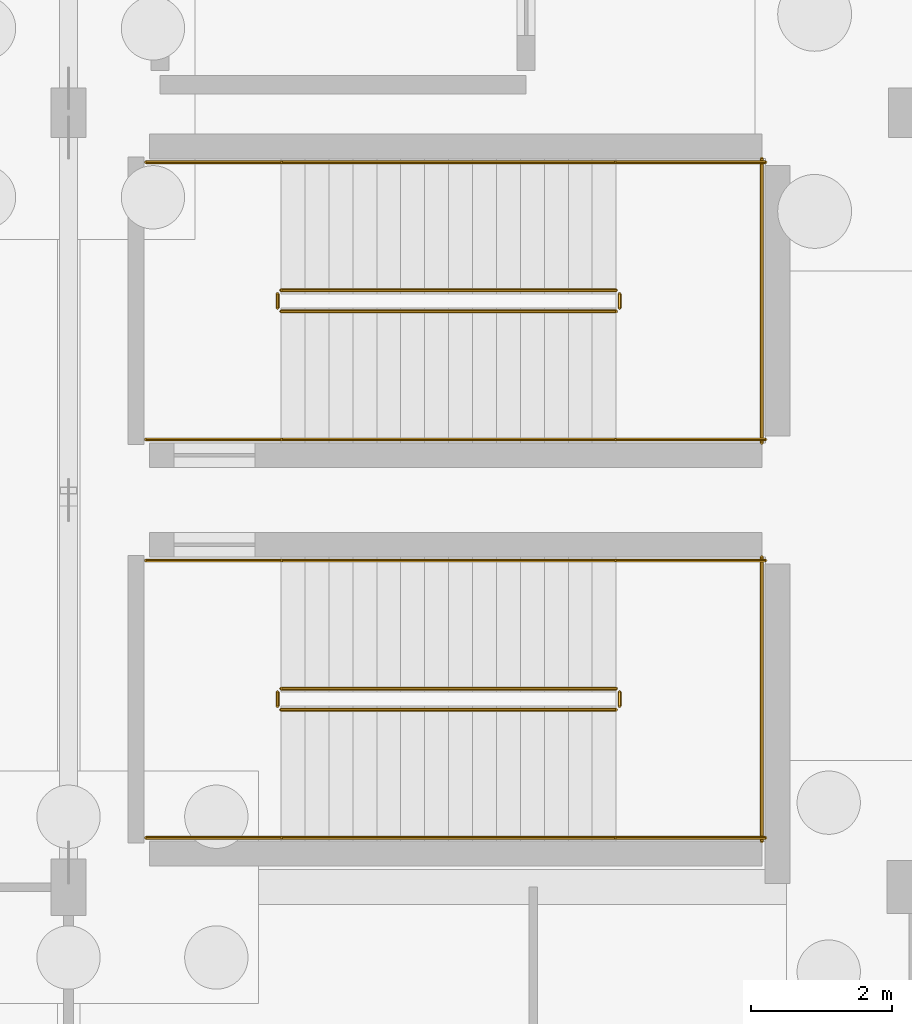
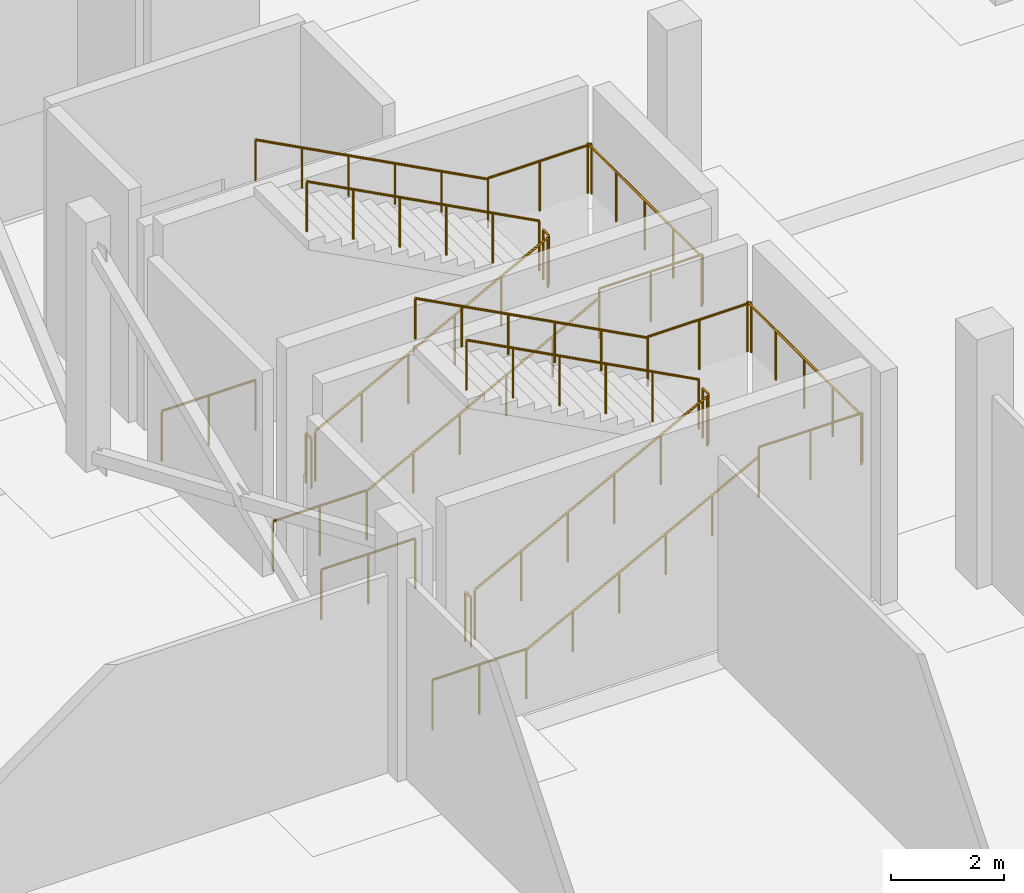
# One storey, part 48 of 60: 22 railings.
"""IFC4 building model written with IfcOpenShell, lengths in metres."""

from ifc_helpers import new_model, si_unit, direction, frame, origin, origin_2d, place, context, subcontext, project, spatial, circle, extrude, material, type_object, element, save


model = new_model("IFC4")

# Units and contexts
model_context = context("Model", 3, precision=1e-05, world=origin(), true_north=direction((0.0, 1.0)))
body_context = subcontext(model_context, "Body", "Model", "MODEL_VIEW")
ifc_project = project(units=[si_unit("LENGTHUNIT", "METRE"), si_unit("AREAUNIT", "SQUARE_METRE"), si_unit("VOLUMEUNIT", "CUBIC_METRE"), si_unit("PLANEANGLEUNIT", "RADIAN"), si_unit("MASSUNIT", "GRAM", prefix="KILO")], contexts=[model_context])

# Site, building, storey
site_placement = place(None, origin())
site = spatial("IfcSite", under=ifc_project, at=site_placement, CompositionType="ELEMENT")
building_placement = place(site_placement, origin())
building = spatial("IfcBuilding", under=site, at=building_placement, Name="Luwafu Chhajja Arena", CompositionType="ELEMENT")
storey_placement = place(building_placement, frame((0.0, 0.0, -5.39990234375)))
storey = spatial("IfcBuildingStorey", under=building, at=storey_placement, Name="B1", CompositionType="ELEMENT", Elevation=-5.39990234375)

# Railings
ifc_material_1 = material(Name="Stainless steel handrail", Category="steel")
railing_type_1 = type_object("IfcRailingType", Name="Stair Pitch Wall Handrail 920", PredefinedType="HANDRAIL", material=ifc_material_1)
railing_1_placement = place(storey_placement, frame((37.02001953125, 11.699951171875, 0.179931640625)))
element("IfcRailing", 1, at=railing_1_placement, inside=storey, type_object=railing_type_1, Name="B1 ST-01 stair handrail 1", PredefinedType="HANDRAIL", context=body_context, shape_type="SweptSolid", body=[
    extrude(circle(Radius=0.02392578125, at=origin_2d()), frame((0.0, 0.0, 0.8759765625), z_axis=(0.883786813738, 0.0, 0.467889803119), x_axis=(0.0, 1.0, 0.0)), (0.0, 0.0, 1.0), 5.385986328125),
    extrude(circle(Radius=0.02099609375, at=origin_2d()), origin(), (0.0, 0.0, 1.0), 0.851806640625),
    extrude(circle(Radius=0.02099609375, at=origin_2d()), frame((0.951904296875, 0.0, 0.50390625)), (0.0, 0.0, 1.0), 0.851806640625),
    extrude(circle(Radius=0.02099609375, at=origin_2d()), frame((1.904052734375, 0.0, 1.008056640625)), (0.0, 0.0, 1.0), 0.851806640625),
    extrude(circle(Radius=0.02099609375, at=origin_2d()), frame((2.85595703125, 0.0, 1.511962890625)), (0.0, 0.0, 1.0), 0.851806640625),
    extrude(circle(Radius=0.02099609375, at=origin_2d()), frame((3.80810546875, 0.0, 2.01611328125)), (0.0, 0.0, 1.0), 0.851806640625),
    extrude(circle(Radius=0.02099609375, at=origin_2d()), frame((4.760009765625, 0.0, 2.52001953125)), (0.0, 0.0, 1.0), 0.851806640625),
])
railing_2_placement = place(storey_placement, frame((41.780029296875, 15.639892578125, 2.8798828125)))
element("IfcRailing", 2, at=railing_2_placement, inside=storey, type_object=railing_type_1, Name="B1 ST-01 stair handrail 2", PredefinedType="HANDRAIL", context=body_context, shape_type="SweptSolid", body=[
    extrude(circle(Radius=0.02392578125, at=origin_2d()), frame((0.0, 0.0, 0.8759765625), z_axis=(-0.883786813738, 0.0, 0.467889803119), x_axis=(0.0, -1.0, 0.0)), (0.0, 0.0, 1.0), 5.385986328125),
    extrude(circle(Radius=0.02099609375, at=origin_2d()), origin(), (0.0, 0.0, 1.0), 0.851806640625),
    extrude(circle(Radius=0.02099609375, at=origin_2d()), frame((-0.951904296875, 0.0, 0.50390625)), (0.0, 0.0, 1.0), 0.851806640625),
    extrude(circle(Radius=0.02099609375, at=origin_2d()), frame((-1.904052734375, 0.0, 1.008056640625)), (0.0, 0.0, 1.0), 0.851806640625),
    extrude(circle(Radius=0.02099609375, at=origin_2d()), frame((-2.85595703125, 0.0, 1.511962890625)), (0.0, 0.0, 1.0), 0.851806640625),
    extrude(circle(Radius=0.02099609375, at=origin_2d()), frame((-3.80810546875, 0.0, 2.01611328125)), (0.0, 0.0, 1.0), 0.851806640625),
    extrude(circle(Radius=0.02099609375, at=origin_2d()), frame((-4.760009765625, 0.0, 2.52001953125)), (0.0, 0.0, 1.0), 0.851806640625),
])
railing_3_placement = place(storey_placement, frame((37.02001953125, 17.360107421875, 0.179931640625)))
element("IfcRailing", 3, at=railing_3_placement, inside=storey, type_object=railing_type_1, Name="B1 ST-02 stair handrail 1", PredefinedType="HANDRAIL", context=body_context, shape_type="SweptSolid", body=[
    extrude(circle(Radius=0.02392578125, at=origin_2d()), frame((0.0, 0.0, 0.8759765625), z_axis=(0.883786813738, 0.0, 0.467889803119), x_axis=(0.0, 1.0, 0.0)), (0.0, 0.0, 1.0), 5.385986328125),
    extrude(circle(Radius=0.02099609375, at=origin_2d()), origin(), (0.0, 0.0, 1.0), 0.851806640625),
    extrude(circle(Radius=0.02099609375, at=origin_2d()), frame((0.951904296875, 0.0, 0.50390625)), (0.0, 0.0, 1.0), 0.851806640625),
    extrude(circle(Radius=0.02099609375, at=origin_2d()), frame((1.904052734375, 0.0, 1.008056640625)), (0.0, 0.0, 1.0), 0.851806640625),
    extrude(circle(Radius=0.02099609375, at=origin_2d()), frame((2.85595703125, 0.0, 1.511962890625)), (0.0, 0.0, 1.0), 0.851806640625),
    extrude(circle(Radius=0.02099609375, at=origin_2d()), frame((3.80810546875, 0.0, 2.01611328125)), (0.0, 0.0, 1.0), 0.851806640625),
    extrude(circle(Radius=0.02099609375, at=origin_2d()), frame((4.760009765625, 0.0, 2.52001953125)), (0.0, 0.0, 1.0), 0.851806640625),
])
railing_4_placement = place(storey_placement, frame((41.780029296875, 21.300048828125, 2.8798828125)))
element("IfcRailing", 4, at=railing_4_placement, inside=storey, type_object=railing_type_1, Name="B1 ST-02 stair handrail 2", PredefinedType="HANDRAIL", context=body_context, shape_type="SweptSolid", body=[
    extrude(circle(Radius=0.02392578125, at=origin_2d()), frame((0.0, 0.0, 0.8759765625), z_axis=(-0.883786813738, 0.0, 0.467889803119), x_axis=(0.0, -1.0, 0.0)), (0.0, 0.0, 1.0), 5.385986328125),
    extrude(circle(Radius=0.02099609375, at=origin_2d()), origin(), (0.0, 0.0, 1.0), 0.851806640625),
    extrude(circle(Radius=0.02099609375, at=origin_2d()), frame((-0.951904296875, 0.0, 0.50390625)), (0.0, 0.0, 1.0), 0.851806640625),
    extrude(circle(Radius=0.02099609375, at=origin_2d()), frame((-1.904052734375, 0.0, 1.008056640625)), (0.0, 0.0, 1.0), 0.851806640625),
    extrude(circle(Radius=0.02099609375, at=origin_2d()), frame((-2.85595703125, 0.0, 1.511962890625)), (0.0, 0.0, 1.0), 0.851806640625),
    extrude(circle(Radius=0.02099609375, at=origin_2d()), frame((-3.80810546875, 0.0, 2.01611328125)), (0.0, 0.0, 1.0), 0.851806640625),
    extrude(circle(Radius=0.02099609375, at=origin_2d()), frame((-4.760009765625, 0.0, 2.52001953125)), (0.0, 0.0, 1.0), 0.851806640625),
])
ifc_material_2 = material(Name="Stainless steel balustrade", Category="steel")
railing_type_2 = type_object("IfcRailingType", Name="Stair and Terrace Guard Balustrade 1100", PredefinedType="BALUSTRADE", material=ifc_material_2)
railing_5_placement = place(storey_placement, frame((37.02001953125, 13.52001953125, 0.179931640625)))
element("IfcRailing", 5, at=railing_5_placement, inside=storey, type_object=railing_type_2, Name="B1 ST-01 stair guard 1", PredefinedType="BALUSTRADE", context=body_context, shape_type="SweptSolid", body=[
    extrude(circle(Radius=0.02392578125, at=origin_2d()), frame((0.0, 0.0, 1.076171875), z_axis=(0.883786813738, 0.0, 0.467889803119), x_axis=(0.0, 1.0, 0.0)), (0.0, 0.0, 1.0), 5.385986328125),
    extrude(circle(Radius=0.02099609375, at=origin_2d()), origin(), (0.0, 0.0, 1.0), 1.052001953125),
    extrude(circle(Radius=0.02099609375, at=origin_2d()), frame((0.951904296875, 0.0, 0.50390625)), (0.0, 0.0, 1.0), 1.052001953125),
    extrude(circle(Radius=0.02099609375, at=origin_2d()), frame((1.904052734375, 0.0, 1.008056640625)), (0.0, 0.0, 1.0), 1.052001953125),
    extrude(circle(Radius=0.02099609375, at=origin_2d()), frame((2.85595703125, 0.0, 1.511962890625)), (0.0, 0.0, 1.0), 1.052001953125),
    extrude(circle(Radius=0.02099609375, at=origin_2d()), frame((3.80810546875, 0.0, 2.01611328125)), (0.0, 0.0, 1.0), 1.052001953125),
    extrude(circle(Radius=0.02099609375, at=origin_2d()), frame((4.760009765625, 0.0, 2.52001953125)), (0.0, 0.0, 1.0), 1.052001953125),
])
railing_6_placement = place(storey_placement, frame((41.830078125, 13.570068359375, 2.699951171875)))
element("IfcRailing", 6, at=railing_6_placement, inside=storey, type_object=railing_type_2, Name="B1 ST-01 stair guard 2", PredefinedType="BALUSTRADE", context=body_context, shape_type="SweptSolid", body=[
    extrude(circle(Radius=0.02392578125, at=origin_2d()), frame((0.0, 0.0, 1.076171875), z_axis=(0.0, 1.0, 0.0), x_axis=(-1.0, 0.0, 0.0)), (0.0, 0.0, 1.0), 0.199951171875),
    extrude(circle(Radius=0.02099609375, at=origin_2d()), origin(), (0.0, 0.0, 1.0), 1.052001953125),
    extrude(circle(Radius=0.02099609375, at=origin_2d()), frame((0.0, 0.199951171875, 0.0)), (0.0, 0.0, 1.0), 1.052001953125),
])
for number, where, name in (
    (7, (41.780029296875, 11.699951171875, 2.699951171875), "B1 ST-01 stair guard 3"),
    (8, (41.780029296875, 15.639892578125, 2.699951171875), "B1 ST-01 stair guard 4"),
):
    element("IfcRailing", number, at=place(storey_placement, frame(where)), inside=storey, type_object=railing_type_2, Name=name, PredefinedType="BALUSTRADE", context=body_context, shape_type="SweptSolid", body=[
        extrude(circle(Radius=0.02392578125, at=origin_2d()), frame((0.0, 0.0, 1.076171875), z_axis=(1.0, 0.0, 0.0), x_axis=(0.0, 1.0, 0.0)), (0.0, 0.0, 1.0), 2.119873046875),
        extrude(circle(Radius=0.02099609375, at=origin_2d()), origin(), (0.0, 0.0, 1.0), 1.052001953125),
        extrude(circle(Radius=0.02099609375, at=origin_2d()), frame((1.06005859375, 0.0, 0.0)), (0.0, 0.0, 1.0), 1.052001953125),
        extrude(circle(Radius=0.02099609375, at=origin_2d()), frame((2.119873046875, 0.0, 0.0)), (0.0, 0.0, 1.0), 1.052001953125),
    ])
railing_7_placement = place(storey_placement, frame((43.85009765625, 11.64990234375, 2.699951171875)))
element("IfcRailing", 9, at=railing_7_placement, inside=storey, type_object=railing_type_2, Name="B1 ST-01 stair guard 5", PredefinedType="BALUSTRADE", context=body_context, shape_type="SweptSolid", body=[
    extrude(circle(Radius=0.02392578125, at=origin_2d()), frame((0.0, 0.0, 1.076171875), z_axis=(0.0, 1.0, 0.0), x_axis=(-1.0, 0.0, 0.0)), (0.0, 0.0, 1.0), 4.0400390625),
    extrude(circle(Radius=0.02099609375, at=origin_2d()), origin(), (0.0, 0.0, 1.0), 1.052001953125),
    extrude(circle(Radius=0.02099609375, at=origin_2d()), frame((0.0, 1.010009765625, 0.0)), (0.0, 0.0, 1.0), 1.052001953125),
    extrude(circle(Radius=0.02099609375, at=origin_2d()), frame((0.0, 2.02001953125, 0.0)), (0.0, 0.0, 1.0), 1.052001953125),
    extrude(circle(Radius=0.02099609375, at=origin_2d()), frame((0.0, 3.030029296875, 0.0)), (0.0, 0.0, 1.0), 1.052001953125),
    extrude(circle(Radius=0.02099609375, at=origin_2d()), frame((0.0, 4.0400390625, 0.0)), (0.0, 0.0, 1.0), 1.052001953125),
])
railing_8_placement = place(storey_placement, frame((41.780029296875, 13.820068359375, 2.8798828125)))
element("IfcRailing", 10, at=railing_8_placement, inside=storey, type_object=railing_type_2, Name="B1 ST-01 stair guard 6", PredefinedType="BALUSTRADE", context=body_context, shape_type="SweptSolid", body=[
    extrude(circle(Radius=0.02392578125, at=origin_2d()), frame((0.0, 0.0, 1.076171875), z_axis=(-0.883786813738, 0.0, 0.467889803119), x_axis=(0.0, -1.0, 0.0)), (0.0, 0.0, 1.0), 5.385986328125),
    extrude(circle(Radius=0.02099609375, at=origin_2d()), origin(), (0.0, 0.0, 1.0), 1.052001953125),
    extrude(circle(Radius=0.02099609375, at=origin_2d()), frame((-0.951904296875, 0.0, 0.50390625)), (0.0, 0.0, 1.0), 1.052001953125),
    extrude(circle(Radius=0.02099609375, at=origin_2d()), frame((-1.904052734375, 0.0, 1.008056640625)), (0.0, 0.0, 1.0), 1.052001953125),
    extrude(circle(Radius=0.02099609375, at=origin_2d()), frame((-2.85595703125, 0.0, 1.511962890625)), (0.0, 0.0, 1.0), 1.052001953125),
    extrude(circle(Radius=0.02099609375, at=origin_2d()), frame((-3.80810546875, 0.0, 2.01611328125)), (0.0, 0.0, 1.0), 1.052001953125),
    extrude(circle(Radius=0.02099609375, at=origin_2d()), frame((-4.760009765625, 0.0, 2.52001953125)), (0.0, 0.0, 1.0), 1.052001953125),
])
railing_9_placement = place(storey_placement, frame((36.969970703125, 13.570068359375, 0.0)))
element("IfcRailing", 11, at=railing_9_placement, inside=storey, type_object=railing_type_2, Name="B1 ST-01 stair guard 7", PredefinedType="BALUSTRADE", context=body_context, shape_type="SweptSolid", body=[
    extrude(circle(Radius=0.02392578125, at=origin_2d()), frame((0.0, 0.0, 1.076171875), z_axis=(0.0, 1.0, 0.0), x_axis=(-1.0, 0.0, 0.0)), (0.0, 0.0, 1.0), 0.199951171875),
    extrude(circle(Radius=0.02099609375, at=origin_2d()), origin(), (0.0, 0.0, 1.0), 1.052001953125),
    extrude(circle(Radius=0.02099609375, at=origin_2d()), frame((0.0, 0.199951171875, 0.0)), (0.0, 0.0, 1.0), 1.052001953125),
])
for number, where, name in (
    (12, (35.10009765625, 11.699951171875, 0.0), "B1 ST-01 stair guard 8"),
    (13, (35.10009765625, 15.639892578125, 0.0), "B1 ST-01 stair guard 9"),
):
    element("IfcRailing", number, at=place(storey_placement, frame(where)), inside=storey, type_object=railing_type_2, Name=name, PredefinedType="BALUSTRADE", context=body_context, shape_type="SweptSolid", body=[
        extrude(circle(Radius=0.02392578125, at=origin_2d()), frame((0.0, 0.0, 1.076171875), z_axis=(1.0, 0.0, 0.0), x_axis=(0.0, 1.0, 0.0)), (0.0, 0.0, 1.0), 1.919921875),
        extrude(circle(Radius=0.02099609375, at=origin_2d()), origin(), (0.0, 0.0, 1.0), 1.052001953125),
        extrude(circle(Radius=0.02099609375, at=origin_2d()), frame((0.9599609375, 0.0, 0.0)), (0.0, 0.0, 1.0), 1.052001953125),
        extrude(circle(Radius=0.02099609375, at=origin_2d()), frame((1.919921875, 0.0, 0.0)), (0.0, 0.0, 1.0), 1.052001953125),
    ])
railing_10_placement = place(storey_placement, frame((37.02001953125, 19.179931640625, 0.179931640625)))
element("IfcRailing", 14, at=railing_10_placement, inside=storey, type_object=railing_type_2, Name="B1 ST-02 stair guard 1", PredefinedType="BALUSTRADE", context=body_context, shape_type="SweptSolid", body=[
    extrude(circle(Radius=0.02392578125, at=origin_2d()), frame((0.0, 0.0, 1.076171875), z_axis=(0.883786813738, 0.0, 0.467889803119), x_axis=(0.0, 1.0, 0.0)), (0.0, 0.0, 1.0), 5.385986328125),
    extrude(circle(Radius=0.02099609375, at=origin_2d()), origin(), (0.0, 0.0, 1.0), 1.052001953125),
    extrude(circle(Radius=0.02099609375, at=origin_2d()), frame((0.951904296875, 0.0, 0.50390625)), (0.0, 0.0, 1.0), 1.052001953125),
    extrude(circle(Radius=0.02099609375, at=origin_2d()), frame((1.904052734375, 0.0, 1.008056640625)), (0.0, 0.0, 1.0), 1.052001953125),
    extrude(circle(Radius=0.02099609375, at=origin_2d()), frame((2.85595703125, 0.0, 1.511962890625)), (0.0, 0.0, 1.0), 1.052001953125),
    extrude(circle(Radius=0.02099609375, at=origin_2d()), frame((3.80810546875, 0.0, 2.01611328125)), (0.0, 0.0, 1.0), 1.052001953125),
    extrude(circle(Radius=0.02099609375, at=origin_2d()), frame((4.760009765625, 0.0, 2.52001953125)), (0.0, 0.0, 1.0), 1.052001953125),
])
railing_11_placement = place(storey_placement, frame((41.830078125, 19.22998046875, 2.699951171875)))
element("IfcRailing", 15, at=railing_11_placement, inside=storey, type_object=railing_type_2, Name="B1 ST-02 stair guard 2", PredefinedType="BALUSTRADE", context=body_context, shape_type="SweptSolid", body=[
    extrude(circle(Radius=0.02392578125, at=origin_2d()), frame((0.0, 0.0, 1.076171875), z_axis=(0.0, 1.0, 0.0), x_axis=(-1.0, 0.0, 0.0)), (0.0, 0.0, 1.0), 0.199951171875),
    extrude(circle(Radius=0.02099609375, at=origin_2d()), origin(), (0.0, 0.0, 1.0), 1.052001953125),
    extrude(circle(Radius=0.02099609375, at=origin_2d()), frame((0.0, 0.199951171875, 0.0)), (0.0, 0.0, 1.0), 1.052001953125),
])
for number, where, name in (
    (16, (41.780029296875, 17.360107421875, 2.699951171875), "B1 ST-02 stair guard 3"),
    (17, (41.780029296875, 21.300048828125, 2.699951171875), "B1 ST-02 stair guard 4"),
):
    element("IfcRailing", number, at=place(storey_placement, frame(where)), inside=storey, type_object=railing_type_2, Name=name, PredefinedType="BALUSTRADE", context=body_context, shape_type="SweptSolid", body=[
        extrude(circle(Radius=0.02392578125, at=origin_2d()), frame((0.0, 0.0, 1.076171875), z_axis=(1.0, 0.0, 0.0), x_axis=(0.0, 1.0, 0.0)), (0.0, 0.0, 1.0), 2.119873046875),
        extrude(circle(Radius=0.02099609375, at=origin_2d()), origin(), (0.0, 0.0, 1.0), 1.052001953125),
        extrude(circle(Radius=0.02099609375, at=origin_2d()), frame((1.06005859375, 0.0, 0.0)), (0.0, 0.0, 1.0), 1.052001953125),
        extrude(circle(Radius=0.02099609375, at=origin_2d()), frame((2.119873046875, 0.0, 0.0)), (0.0, 0.0, 1.0), 1.052001953125),
    ])
railing_12_placement = place(storey_placement, frame((43.85009765625, 17.31005859375, 2.699951171875)))
element("IfcRailing", 18, at=railing_12_placement, inside=storey, type_object=railing_type_2, Name="B1 ST-02 stair guard 5", PredefinedType="BALUSTRADE", context=body_context, shape_type="SweptSolid", body=[
    extrude(circle(Radius=0.02392578125, at=origin_2d()), frame((0.0, 0.0, 1.076171875), z_axis=(0.0, 1.0, 0.0), x_axis=(-1.0, 0.0, 0.0)), (0.0, 0.0, 1.0), 4.0400390625),
    extrude(circle(Radius=0.02099609375, at=origin_2d()), origin(), (0.0, 0.0, 1.0), 1.052001953125),
    extrude(circle(Radius=0.02099609375, at=origin_2d()), frame((0.0, 1.010009765625, 0.0)), (0.0, 0.0, 1.0), 1.052001953125),
    extrude(circle(Radius=0.02099609375, at=origin_2d()), frame((0.0, 2.02001953125, 0.0)), (0.0, 0.0, 1.0), 1.052001953125),
    extrude(circle(Radius=0.02099609375, at=origin_2d()), frame((0.0, 3.030029296875, 0.0)), (0.0, 0.0, 1.0), 1.052001953125),
    extrude(circle(Radius=0.02099609375, at=origin_2d()), frame((0.0, 4.0400390625, 0.0)), (0.0, 0.0, 1.0), 1.052001953125),
])
railing_13_placement = place(storey_placement, frame((41.780029296875, 19.47998046875, 2.8798828125)))
element("IfcRailing", 19, at=railing_13_placement, inside=storey, type_object=railing_type_2, Name="B1 ST-02 stair guard 6", PredefinedType="BALUSTRADE", context=body_context, shape_type="SweptSolid", body=[
    extrude(circle(Radius=0.02392578125, at=origin_2d()), frame((0.0, 0.0, 1.076171875), z_axis=(-0.883786813738, 0.0, 0.467889803119), x_axis=(0.0, -1.0, 0.0)), (0.0, 0.0, 1.0), 5.385986328125),
    extrude(circle(Radius=0.02099609375, at=origin_2d()), origin(), (0.0, 0.0, 1.0), 1.052001953125),
    extrude(circle(Radius=0.02099609375, at=origin_2d()), frame((-0.951904296875, 0.0, 0.50390625)), (0.0, 0.0, 1.0), 1.052001953125),
    extrude(circle(Radius=0.02099609375, at=origin_2d()), frame((-1.904052734375, 0.0, 1.008056640625)), (0.0, 0.0, 1.0), 1.052001953125),
    extrude(circle(Radius=0.02099609375, at=origin_2d()), frame((-2.85595703125, 0.0, 1.511962890625)), (0.0, 0.0, 1.0), 1.052001953125),
    extrude(circle(Radius=0.02099609375, at=origin_2d()), frame((-3.80810546875, 0.0, 2.01611328125)), (0.0, 0.0, 1.0), 1.052001953125),
    extrude(circle(Radius=0.02099609375, at=origin_2d()), frame((-4.760009765625, 0.0, 2.52001953125)), (0.0, 0.0, 1.0), 1.052001953125),
])
railing_14_placement = place(storey_placement, frame((36.969970703125, 19.22998046875, 0.0)))
element("IfcRailing", 20, at=railing_14_placement, inside=storey, type_object=railing_type_2, Name="B1 ST-02 stair guard 7", PredefinedType="BALUSTRADE", context=body_context, shape_type="SweptSolid", body=[
    extrude(circle(Radius=0.02392578125, at=origin_2d()), frame((0.0, 0.0, 1.076171875), z_axis=(0.0, 1.0, 0.0), x_axis=(-1.0, 0.0, 0.0)), (0.0, 0.0, 1.0), 0.199951171875),
    extrude(circle(Radius=0.02099609375, at=origin_2d()), origin(), (0.0, 0.0, 1.0), 1.052001953125),
    extrude(circle(Radius=0.02099609375, at=origin_2d()), frame((0.0, 0.199951171875, 0.0)), (0.0, 0.0, 1.0), 1.052001953125),
])
for number, where, name in (
    (21, (35.10009765625, 17.360107421875, 0.0), "B1 ST-02 stair guard 8"),
    (22, (35.10009765625, 21.300048828125, 0.0), "B1 ST-02 stair guard 9"),
):
    element("IfcRailing", number, at=place(storey_placement, frame(where)), inside=storey, type_object=railing_type_2, Name=name, PredefinedType="BALUSTRADE", context=body_context, shape_type="SweptSolid", body=[
        extrude(circle(Radius=0.02392578125, at=origin_2d()), frame((0.0, 0.0, 1.076171875), z_axis=(1.0, 0.0, 0.0), x_axis=(0.0, 1.0, 0.0)), (0.0, 0.0, 1.0), 1.919921875),
        extrude(circle(Radius=0.02099609375, at=origin_2d()), origin(), (0.0, 0.0, 1.0), 1.052001953125),
        extrude(circle(Radius=0.02099609375, at=origin_2d()), frame((0.9599609375, 0.0, 0.0)), (0.0, 0.0, 1.0), 1.052001953125),
        extrude(circle(Radius=0.02099609375, at=origin_2d()), frame((1.919921875, 0.0, 0.0)), (0.0, 0.0, 1.0), 1.052001953125),
    ])

save(model, "model.ifc")
